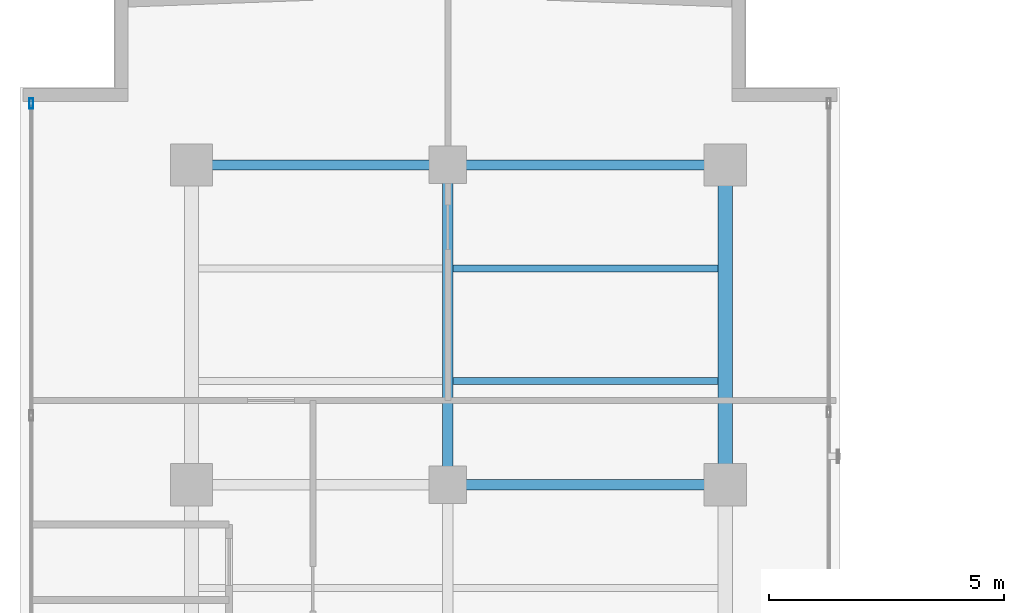
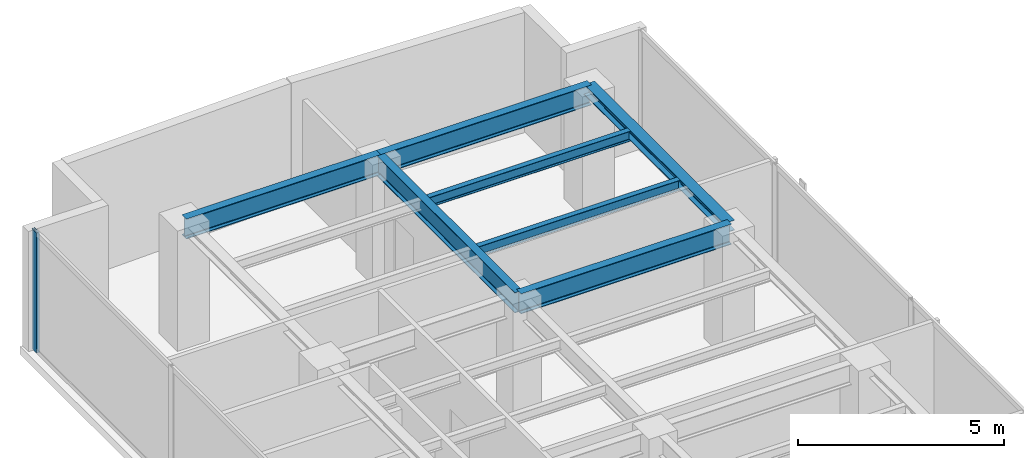
# One storey, part 13 of 23: 7 beams, 1 member, 1 element without a shape of its own.
"""IFC4 building model written with IfcOpenShell, lengths in metres."""

from ifc_helpers import new_model, si_unit, direction, frame, origin, origin_with_axes, origin_2d, place, context, subcontext, project, spatial, hollow_rectangle, i_section, extrude, source, transform, mapped, material, layer, layer_set, material_profile, profile_set, type_object, element, aggregate, save


model = new_model("IFC4")

# Units and contexts
model_context = context("Model", 3, precision=1e-05, world=origin(), true_north=direction((0.0, 1.0)))
body_context = subcontext(model_context, "Body", "Model", "MODEL_VIEW")
ifc_project = project(units=[si_unit("LENGTHUNIT", "METRE"), si_unit("AREAUNIT", "SQUARE_METRE"), si_unit("VOLUMEUNIT", "CUBIC_METRE"), si_unit("PLANEANGLEUNIT", "RADIAN"), si_unit("MASSUNIT", "GRAM", prefix="KILO")], contexts=[model_context])

# Site, building, storey
site_placement = place(None, origin())
site = spatial("IfcSite", under=ifc_project, at=site_placement, CompositionType="ELEMENT")
building_placement = place(site_placement, origin())
building = spatial("IfcBuilding", under=site, at=building_placement, Name="Kolvaren Waterfront Exchange", CompositionType="ELEMENT")
storey_placement = place(building_placement, frame((0.0, 0.0, 319.800048828125)))
storey = spatial("IfcBuildingStorey", under=building, at=storey_placement, Name="L82", CompositionType="ELEMENT", Elevation=319.800048828125)

# Beams
ifc_material_1 = material(Name="Steel S355", Category="steel")
ifc_material_profile_1 = material_profile(ifc_material_1, i_section(OverallWidth=0.300048828125, OverallDepth=0.300048828125, WebThickness=0.010986328125, FlangeThickness=0.01904296875, FilletRadius=0.027099609375, at=origin_2d()), Name="HEB300")
ifc_profile_set_1 = profile_set([ifc_material_profile_1], Name="Steel S355")
beam_type_1 = type_object("IfcBeamType", Name="STR-BM-HEB300", PredefinedType="SPANDREL", material=ifc_profile_set_1)
beam_1_placement = place(storey_placement, frame((18.800048828125, 37.800048828125, 3.409912109375), z_axis=(0.0, 1.0, 0.0), x_axis=(-1.0, 0.0, 0.0)))
element("IfcBeam", 1, at=beam_1_placement, inside=storey, type_object=beam_type_1, Name="L82 north-arm edge beam 3", PredefinedType="SPANDREL", context=body_context, shape_type="SweptSolid", body=[
    extrude(i_section(OverallWidth=0.300048828125, OverallDepth=0.300048828125, WebThickness=0.010986328125, FlangeThickness=0.01904296875, FilletRadius=0.027099609375, at=origin_2d()), origin(), (0.0, 0.0, 1.0), 6.800048828125),
])
ifc_material_profile_2 = material_profile(ifc_material_1, i_section(OverallWidth=0.14990234375, OverallDepth=0.300048828125, WebThickness=0.007080078125, FlangeThickness=0.0107421875, FilletRadius=0.014892578125, at=origin_2d()), Name="IPE300")
ifc_profile_set_2 = profile_set([ifc_material_profile_2], Name="Steel S355")
beam_type_2 = type_object("IfcBeamType", Name="STR-BM-IPE300", PredefinedType="JOIST", material=ifc_profile_set_2)
for number, where, z_axis, x_axis, name in (
    (2, (13.011962890625, 40.0, 3.409912109375), (1.0, 0.0, 0.0), (0.0, 1.0, 0.0), "L82 north-arm composite joist 5B"),
    (3, (13.011962890625, 42.39990234375, 3.409912109375), (1.0, 0.0, 0.0), (0.0, 1.0, 0.0), "L82 north-arm composite joist 6B"),
):
    element("IfcBeam", number, at=place(storey_placement, frame(where, z_axis=z_axis, x_axis=x_axis)), inside=storey, type_object=beam_type_2, Name=name, PredefinedType="JOIST", context=body_context, shape_type="SweptSolid", body=[
        extrude(i_section(OverallWidth=0.14990234375, OverallDepth=0.300048828125, WebThickness=0.007080078125, FlangeThickness=0.0107421875, FilletRadius=0.014892578125, at=origin_2d()), origin(), (0.0, 0.0, 1.0), 5.635986328125),
    ])
ifc_material_profile_3 = material_profile(ifc_material_1, i_section(OverallWidth=0.219970703125, OverallDepth=0.60009765625, WebThickness=0.011962890625, FlangeThickness=0.01904296875, FilletRadius=0.02392578125, at=origin_2d()), Name="IPE600")
ifc_profile_set_3 = profile_set([ifc_material_profile_3], Name="Steel S355")
beam_type_3 = type_object("IfcBeamType", Name="STR-BM-IPE600", PredefinedType="BEAM", material=ifc_profile_set_3)
beam_2_placement = place(storey_placement, frame((12.89990234375, 37.800048828125, 3.260009765625), z_axis=(1.0, 0.0, 0.0), x_axis=(0.0, 1.0, 0.0)))
element("IfcBeam", 4, at=beam_2_placement, inside=storey, type_object=beam_type_3, Name="L82 north-arm girder 3B", PredefinedType="BEAM", context=body_context, shape_type="SweptSolid", body=[
    extrude(i_section(OverallWidth=0.219970703125, OverallDepth=0.60009765625, WebThickness=0.011962890625, FlangeThickness=0.01904296875, FilletRadius=0.02392578125, at=origin_2d()), origin(), (0.0, 0.0, 1.0), 5.900146484375),
])
beam_3_placement = place(storey_placement, frame((7.449951171875, 44.60009765625, 3.260009765625), z_axis=(1.0, 0.0, 0.0), x_axis=(0.0, 1.0, 0.0)))
element("IfcBeam", 5, at=beam_3_placement, inside=storey, type_object=beam_type_3, Name="L82 north-arm girder 4A", PredefinedType="BEAM", context=body_context, shape_type="SweptSolid", body=[
    extrude(i_section(OverallWidth=0.219970703125, OverallDepth=0.60009765625, WebThickness=0.011962890625, FlangeThickness=0.01904296875, FilletRadius=0.02392578125, at=origin_2d()), origin(), (0.0, 0.0, 1.0), 5.449951171875),
])
beam_4_placement = place(storey_placement, frame((12.89990234375, 44.60009765625, 3.260009765625), z_axis=(1.0, 0.0, 0.0), x_axis=(0.0, 1.0, 0.0)))
element("IfcBeam", 6, at=beam_4_placement, inside=storey, type_object=beam_type_3, Name="L82 north-arm girder 4B", PredefinedType="BEAM", context=body_context, shape_type="SweptSolid", body=[
    extrude(i_section(OverallWidth=0.219970703125, OverallDepth=0.60009765625, WebThickness=0.011962890625, FlangeThickness=0.01904296875, FilletRadius=0.02392578125, at=origin_2d()), origin(), (0.0, 0.0, 1.0), 5.900146484375),
])
beam_5_placement = place(storey_placement, frame((12.89990234375, 37.800048828125, 3.260009765625), z_axis=(0.0, 1.0, 0.0), x_axis=(-1.0, 0.0, 0.0)))
element("IfcBeam", 7, at=beam_5_placement, inside=storey, type_object=beam_type_3, Name="L82 north-arm edge beam 3", PredefinedType="BEAM", context=body_context, shape_type="SweptSolid", body=[
    extrude(i_section(OverallWidth=0.219970703125, OverallDepth=0.60009765625, WebThickness=0.011962890625, FlangeThickness=0.01904296875, FilletRadius=0.02392578125, at=origin_2d()), origin(), (0.0, 0.0, 1.0), 6.800048828125),
])

# Curtain wall, member
ifc_material_2 = material(Name="Anodised aluminium 6063-T6", Category="aluminium")
ifc_layer = layer(ifc_material_2, 0.219970703125, Name="Anodised aluminium 6063-T6")
ifc_layer_set = layer_set([ifc_layer], Name="Anodised aluminium 6063-T6")
curtain_wall_type = type_object("IfcCurtainWallType", Name="ARC-CW-SYS2", PredefinedType="USERDEFINED", material=ifc_layer_set)
curtain_wall_placement = place(storey_placement, origin())
curtain_wall = element("IfcCurtainWall", 8, at=curtain_wall_placement, inside=storey, type_object=curtain_wall_type, Name="L82 stick curtain wall CW2 (CW-L82-W)", ObjectType="STICK CURTAIN WALL", PredefinedType="USERDEFINED")
ifc_material_profile_4 = material_profile(ifc_material_2, hollow_rectangle(XDim=0.080078125, YDim=0.219970703125, WallThickness=0.0048828125, at=origin_2d()), Name="ALU-MUL-220x80x5")
ifc_profile_set_4 = profile_set([ifc_material_profile_4], Name="Anodised aluminium 6063-T6")
member_type = type_object("IfcMemberType", Name="ARC-CWM-220", PredefinedType="MULLION", material=ifc_profile_set_4)
shared_shape = source(origin_with_axes(), body_context, "Body", "SweptSolid", [
    extrude(hollow_rectangle(XDim=0.080078125, YDim=0.219970703125, WallThickness=0.0048828125, at=origin_2d()), origin(), (0.0, 0.0, 1.0), 3.56005859375),
])
member_placement = place(storey_placement, frame((4.0400390625, 45.907470703125, 0.0), z_axis=(0.0, 0.0, 1.0), x_axis=(-1.0, 0.0, 0.0)))
member = element("IfcMember", 9, at=member_placement, type_object=member_type, Name="CW2 mullion 7", PredefinedType="MULLION", context=body_context, shape_type="MappedRepresentation", body=[
    mapped(shared_shape, transform((0.0, 0.0, 0.0), x_axis=(1.0, 0.0, 0.0), y_axis=(0.0, 1.0, 0.0), z_axis=(0.0, 0.0, 1.0), scale=1.0)),
])
aggregate(curtain_wall, [member])

save(model, "model.ifc")
